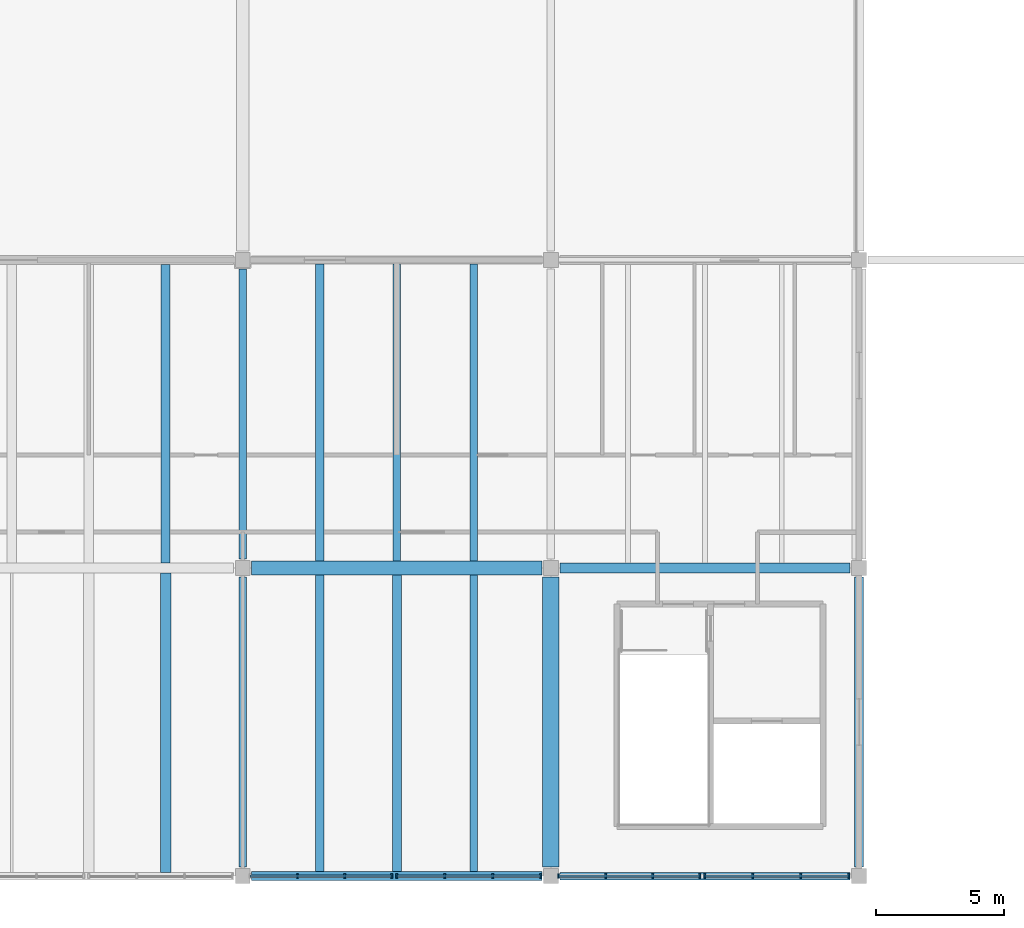
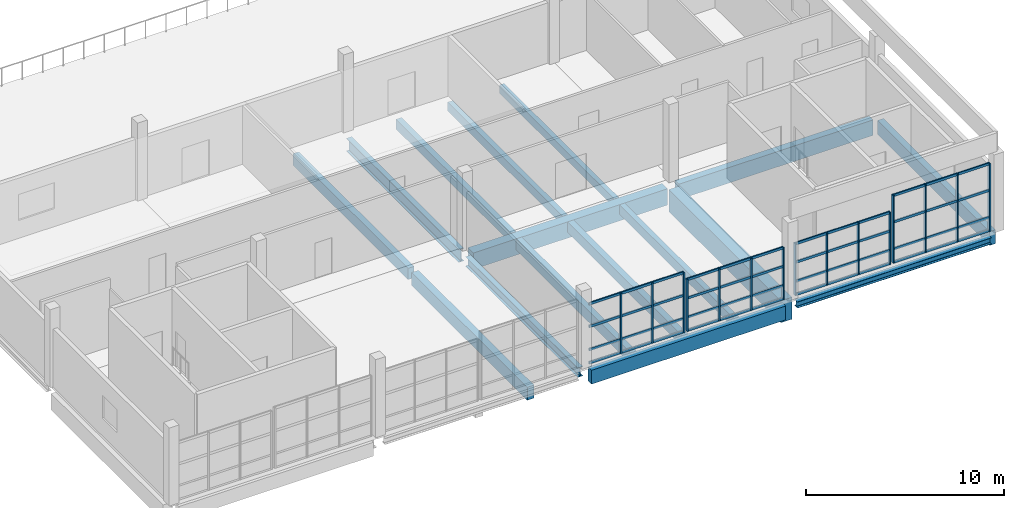
# One storey, part 3 of 8: 31 members, 16 beams, 4 elements without a shape of their own.
"""IFC4 building model written with IfcOpenShell, lengths in metres."""

from ifc_helpers import new_model, si_unit, direction, frame, origin, origin_2d, place, context, subcontext, project, spatial, rectangle, i_section, extrude, material, material_profile, profile_set, type_object, element, aggregate, save


model = new_model("IFC4")

# Units and contexts
model_context = context("Model", 3, precision=1e-05, world=origin(), true_north=direction((0.0, 1.0)))
body_context = subcontext(model_context, "Body", "Model", "MODEL_VIEW")
ifc_project = project(units=[si_unit("LENGTHUNIT", "METRE"), si_unit("AREAUNIT", "SQUARE_METRE"), si_unit("VOLUMEUNIT", "CUBIC_METRE"), si_unit("PLANEANGLEUNIT", "RADIAN"), si_unit("MASSUNIT", "GRAM", prefix="KILO")], contexts=[model_context])

# Site, building, storey
site_placement = place(None, origin())
site = spatial("IfcSite", under=ifc_project, at=site_placement, CompositionType="ELEMENT")
building_placement = place(site_placement, origin())
building = spatial("IfcBuilding", under=site, at=building_placement, Name="Kamomehara Wholesale Market", CompositionType="ELEMENT")
storey_placement = place(building_placement, frame((0.0, 0.0, 16.199951171875)))
storey = spatial("IfcBuildingStorey", under=building, at=storey_placement, Name="L03", CompositionType="ELEMENT", Elevation=16.199951171875)

# Beams
ifc_material_1 = material(Name="Precast concrete Fc45 (C40/50)", Category="concrete")
ifc_material_profile_1 = material_profile(ifc_material_1, rectangle(XDim=0.64990234375, YDim=1.35009765625, at=origin_2d()), Name="PC-GRD-650x1350")
ifc_profile_set_1 = profile_set([ifc_material_profile_1], Name="Precast concrete Fc45 (C40/50)")
beam_type_1 = type_object("IfcBeamType", Name="BM-PG1350", PredefinedType="T_BEAM", material=ifc_profile_set_1)
beam_1_placement = place(storey_placement, frame((144.0, 12.35009765625, -1.02685546875), z_axis=(0.0, 1.0, 0.0), x_axis=(-1.0, 0.0, 0.0)))
element("IfcBeam", 1, at=beam_1_placement, inside=storey, type_object=beam_type_1, Name="Beam PG-03 L03", PredefinedType="T_BEAM", context=body_context, shape_type="SweptSolid", body=[
    extrude(rectangle(XDim=0.64990234375, YDim=1.35009765625, at=origin_2d()), origin(), (0.0, 0.0, 1.0), 11.2998046875),
])
ifc_material_2 = material(Name="Precast concrete Fc45 (C40/50)", Category="concrete")
ifc_material_profile_2 = material_profile(ifc_material_2, rectangle(XDim=0.280029296875, YDim=0.5, at=origin_2d()), Name="PC-JST-280x500")
ifc_profile_set_2 = profile_set([ifc_material_profile_2], Name="Precast concrete Fc45 (C40/50)")
beam_type_2 = type_object("IfcBeamType", Name="BM-PJ500", PredefinedType="JOIST", material=ifc_profile_set_2)
beam_2_placement = place(storey_placement, frame((141.0, 24.27490234375, -0.58203125), z_axis=(0.0, 1.0, 0.0), x_axis=(-1.0, 0.0, 0.0)))
element("IfcBeam", 2, at=beam_2_placement, inside=storey, type_object=beam_type_2, Name="Beam PJ-11 L03", PredefinedType="JOIST", context=body_context, shape_type="SweptSolid", body=[
    extrude(rectangle(XDim=0.280029296875, YDim=0.5, at=origin_2d()), origin(), (0.0, 0.0, 1.0), 11.5751953125),
])
ifc_material_3 = material(Name="Precast concrete Fc45 (C40/50)", Category="concrete")
ifc_material_profile_3 = material_profile(ifc_material_3, rectangle(XDim=0.300048828125, YDim=0.550048828125, at=origin_2d()), Name="PC-JST-300x550")
ifc_profile_set_3 = profile_set([ifc_material_profile_3], Name="Precast concrete Fc45 (C40/50)")
beam_type_3 = type_object("IfcBeamType", Name="BM-PJ550", PredefinedType="JOIST", material=ifc_profile_set_3)
beam_3_placement = place(storey_placement, frame((138.0, 24.27490234375, -0.60693359375), z_axis=(0.0, 1.0, 0.0), x_axis=(-1.0, 0.0, 0.0)))
element("IfcBeam", 3, at=beam_3_placement, inside=storey, type_object=beam_type_3, Name="Beam PJ-06 L03", PredefinedType="JOIST", context=body_context, shape_type="SweptSolid", body=[
    extrude(rectangle(XDim=0.300048828125, YDim=0.550048828125, at=origin_2d()), origin(), (0.0, 0.0, 1.0), 11.5751953125),
])
ifc_material_4 = material(Name="Precast concrete Fc45 (C40/50)", Category="concrete")
ifc_material_profile_4 = material_profile(ifc_material_4, rectangle(XDim=0.320068359375, YDim=0.60009765625, at=origin_2d()), Name="PC-JST-320x600")
ifc_profile_set_4 = profile_set([ifc_material_profile_4], Name="Precast concrete Fc45 (C40/50)")
beam_type_4 = type_object("IfcBeamType", Name="BM-PJ600", PredefinedType="JOIST", material=ifc_profile_set_4)
beam_4_placement = place(storey_placement, frame((135.0, 24.27490234375, -0.6318359375), z_axis=(0.0, 1.0, 0.0), x_axis=(-1.0, 0.0, 0.0)))
element("IfcBeam", 4, at=beam_4_placement, inside=storey, type_object=beam_type_4, Name="Beam PJ-05 L03", PredefinedType="JOIST", context=body_context, shape_type="SweptSolid", body=[
    extrude(rectangle(XDim=0.320068359375, YDim=0.60009765625, at=origin_2d()), origin(), (0.0, 0.0, 1.0), 11.5751953125),
])
ifc_material_5 = material(Name="Precast concrete Fc45 (C40/50)", Category="concrete")
ifc_material_profile_5 = material_profile(ifc_material_5, rectangle(XDim=0.300048828125, YDim=0.60009765625, at=origin_2d()), Name="PC-JST-300x600")
ifc_profile_set_5 = profile_set([ifc_material_profile_5], Name="Precast concrete Fc45 (C40/50)")
beam_type_5 = type_object("IfcBeamType", Name="BM-PJ600B", PredefinedType="JOIST", material=ifc_profile_set_5)
beam_5_placement = place(storey_placement, frame((141.0, 12.175048828125, -0.641845703125), z_axis=(0.0, 1.0, 0.0), x_axis=(-1.0, 0.0, 0.0)))
element("IfcBeam", 5, at=beam_5_placement, inside=storey, type_object=beam_type_5, Name="Beam PJ-10 L03", PredefinedType="JOIST", context=body_context, shape_type="SweptSolid", body=[
    extrude(rectangle(XDim=0.300048828125, YDim=0.60009765625, at=origin_2d()), origin(), (0.0, 0.0, 1.0), 11.550048828125),
])
ifc_material_6 = material(Name="Precast concrete Fc45 (C40/50)", Category="concrete")
ifc_material_profile_6 = material_profile(ifc_material_6, rectangle(XDim=0.35009765625, YDim=0.64990234375, at=origin_2d()), Name="PC-JST-350x650")
ifc_profile_set_6 = profile_set([ifc_material_profile_6], Name="Precast concrete Fc45 (C40/50)")
beam_type_6 = type_object("IfcBeamType", Name="BM-PJ650", PredefinedType="JOIST", material=ifc_profile_set_6)
beam_6_placement = place(storey_placement, frame((138.0, 12.175048828125, -0.6669921875), z_axis=(0.0, 1.0, 0.0), x_axis=(-1.0, 0.0, 0.0)))
element("IfcBeam", 6, at=beam_6_placement, inside=storey, type_object=beam_type_6, Name="Beam PJ-04 L03", PredefinedType="JOIST", context=body_context, shape_type="SweptSolid", body=[
    extrude(rectangle(XDim=0.35009765625, YDim=0.64990234375, at=origin_2d()), origin(), (0.0, 0.0, 1.0), 11.550048828125),
])
ifc_material_7 = material(Name="Precast concrete Fc45 (C40/50)", Category="concrete")
ifc_material_profile_7 = material_profile(ifc_material_7, rectangle(XDim=0.340087890625, YDim=0.679931640625, at=origin_2d()), Name="PC-JST-340x680")
ifc_profile_set_7 = profile_set([ifc_material_profile_7], Name="Precast concrete Fc45 (C40/50)")
beam_type_7 = type_object("IfcBeamType", Name="BM-PJ680", PredefinedType="JOIST", material=ifc_profile_set_7)
beam_7_placement = place(storey_placement, frame((135.0, 12.175048828125, -0.681884765625), z_axis=(0.0, 1.0, 0.0), x_axis=(-1.0, 0.0, 0.0)))
element("IfcBeam", 7, at=beam_7_placement, inside=storey, type_object=beam_type_7, Name="Beam PJ-09 L03", PredefinedType="JOIST", context=body_context, shape_type="SweptSolid", body=[
    extrude(rectangle(XDim=0.340087890625, YDim=0.679931640625, at=origin_2d()), origin(), (0.0, 0.0, 1.0), 11.550048828125),
])
ifc_material_8 = material(Name="Precast concrete Fc45 (C40/50)", Category="concrete")
ifc_material_profile_8 = material_profile(ifc_material_8, rectangle(XDim=0.35009765625, YDim=0.699951171875, at=origin_2d()), Name="PC-JST-350x700")
ifc_profile_set_8 = profile_set([ifc_material_profile_8], Name="Precast concrete Fc45 (C40/50)")
beam_type_8 = type_object("IfcBeamType", Name="BM-PJ700", PredefinedType="JOIST", material=ifc_profile_set_8)
beam_8_placement = place(storey_placement, frame((129.0, 24.199951171875, -0.681884765625), z_axis=(0.0, 1.0, 0.0), x_axis=(-1.0, 0.0, 0.0)))
element("IfcBeam", 8, at=beam_8_placement, inside=storey, type_object=beam_type_8, Name="Beam PJ-03 L03", PredefinedType="JOIST", context=body_context, shape_type="SweptSolid", body=[
    extrude(rectangle(XDim=0.35009765625, YDim=0.699951171875, at=origin_2d()), origin(), (0.0, 0.0, 1.0), 11.625),
])
ifc_material_9 = material(Name="Precast concrete Fc45 (C40/50)", Category="concrete")
ifc_material_profile_9 = material_profile(ifc_material_9, rectangle(XDim=0.39990234375, YDim=0.800048828125, at=origin_2d()), Name="PC-JST-400x800")
ifc_profile_set_9 = profile_set([ifc_material_profile_9], Name="Precast concrete Fc45 (C40/50)")
beam_type_9 = type_object("IfcBeamType", Name="BM-PJ800", PredefinedType="JOIST", material=ifc_profile_set_9)
beam_9_placement = place(storey_placement, frame((129.0, 12.14990234375, -0.741943359375), z_axis=(0.0, 1.0, 0.0), x_axis=(-1.0, 0.0, 0.0)))
element("IfcBeam", 9, at=beam_9_placement, inside=storey, type_object=beam_type_9, Name="Beam PJ-01 L03", PredefinedType="JOIST", context=body_context, shape_type="SweptSolid", body=[
    extrude(rectangle(XDim=0.39990234375, YDim=0.800048828125, at=origin_2d()), origin(), (0.0, 0.0, 1.0), 11.650146484375),
])
ifc_material_10 = material(Name="Concrete Fc36 (C35/45)", Category="concrete")
ifc_material_profile_10 = material_profile(ifc_material_10, rectangle(XDim=0.550048828125, YDim=1.0, at=origin_2d()), Name="RC-SEB-550x1000")
ifc_profile_set_10 = profile_set([ifc_material_profile_10], Name="Concrete Fc36 (C35/45)")
beam_type_10 = type_object("IfcBeamType", Name="BM-SEB1000-EXT", PredefinedType="SPANDREL", material=ifc_profile_set_10)
beam_10_placement = place(storey_placement, frame((132.35009765625, 24.0, -0.842041015625), z_axis=(1.0, 0.0, 0.0), x_axis=(0.0, 1.0, 0.0)))
element("IfcBeam", 10, at=beam_10_placement, inside=storey, type_object=beam_type_10, Name="Beam SEB-03E L03", PredefinedType="SPANDREL", context=body_context, shape_type="SweptSolid", body=[
    extrude(rectangle(XDim=0.550048828125, YDim=1.0, at=origin_2d()), origin(), (0.0, 0.0, 1.0), 11.2998046875),
])
ifc_material_11 = material(Name="Precast concrete Fc45 (C40/50)", Category="concrete")
ifc_material_profile_11 = material_profile(ifc_material_11, rectangle(XDim=0.35009765625, YDim=0.85009765625, at=origin_2d()), Name="PC-SPN-350x850")
ifc_profile_set_11 = profile_set([ifc_material_profile_11], Name="Precast concrete Fc45 (C40/50)")
beam_type_11 = type_object("IfcBeamType", Name="BM-SPN850-EXT", PredefinedType="SPANDREL", material=ifc_profile_set_11)
for number, where, z_axis, x_axis, name in (
    (11, (132.35009765625, 12.0, -0.766845703125), (1.0, 0.0, 0.0), (0.0, 1.0, 0.0), "Beam SPN-02E L03"),
    (12, (156.0, 12.35009765625, -0.77685546875), (0.0, 1.0, 0.0), (-1.0, 0.0, 0.0), "Beam SPN-02E L03"),
):
    element("IfcBeam", number, at=place(storey_placement, frame(where, z_axis=z_axis, x_axis=x_axis)), inside=storey, type_object=beam_type_11, Name=name, PredefinedType="SPANDREL", context=body_context, shape_type="SweptSolid", body=[
        extrude(rectangle(XDim=0.35009765625, YDim=0.85009765625, at=origin_2d()), origin(), (0.0, 0.0, 1.0), 11.2998046875),
    ])
ifc_material_12 = material(Name="Precast concrete Fc45 (C40/50)", Category="concrete")
ifc_material_profile_12 = material_profile(ifc_material_12, rectangle(XDim=0.39990234375, YDim=0.949951171875, at=origin_2d()), Name="PC-SPN-400x950")
ifc_profile_set_12 = profile_set([ifc_material_profile_12], Name="Precast concrete Fc45 (C40/50)")
beam_type_12 = type_object("IfcBeamType", Name="BM-SPN950-EXT", PredefinedType="SPANDREL", material=ifc_profile_set_12)
beam_11_placement = place(storey_placement, frame((144.35009765625, 24.0, -0.826904296875), z_axis=(1.0, 0.0, 0.0), x_axis=(0.0, 1.0, 0.0)))
element("IfcBeam", 13, at=beam_11_placement, inside=storey, type_object=beam_type_12, Name="Beam SPN-01E L03", PredefinedType="SPANDREL", context=body_context, shape_type="SweptSolid", body=[
    extrude(rectangle(XDim=0.39990234375, YDim=0.949951171875, at=origin_2d()), origin(), (0.0, 0.0, 1.0), 11.2998046875),
])
ifc_material_13 = material(Name="Steel SN490B", Category="steel")
ifc_material_profile_13 = material_profile(ifc_material_13, i_section(OverallWidth=0.300048828125, OverallDepth=0.389892578125, WebThickness=0.010009765625, FlangeThickness=0.01611328125, FilletRadius=0.01806640625, at=origin_2d()), Name="H-390x300x10x16")
ifc_profile_set_13 = profile_set([ifc_material_profile_13], Name="Steel SN490B")
beam_type_13 = type_object("IfcBeamType", Name="BM-ST-H390-EXT", PredefinedType="SPANDREL", material=ifc_profile_set_13)
beam_12_placement = place(storey_placement, frame((144.35009765625, 12.0, -0.546875), z_axis=(1.0, 0.0, 0.0), x_axis=(0.0, 1.0, 0.0)))
element("IfcBeam", 14, at=beam_12_placement, inside=storey, type_object=beam_type_13, Name="Beam SJ-03E L03", PredefinedType="SPANDREL", context=body_context, shape_type="SweptSolid", body=[
    extrude(i_section(OverallWidth=0.300048828125, OverallDepth=0.389892578125, WebThickness=0.010009765625, FlangeThickness=0.01611328125, FilletRadius=0.01806640625, at=origin_2d()), origin(), (0.0, 0.0, 1.0), 11.2998046875),
])
ifc_material_14 = material(Name="Steel SN490B", Category="steel")
ifc_material_profile_14 = material_profile(ifc_material_14, i_section(OverallWidth=0.300048828125, OverallDepth=0.58203125, WebThickness=0.011962890625, FlangeThickness=0.01708984375, FilletRadius=0.02197265625, at=origin_2d()), Name="H-582x300x12x17")
ifc_profile_set_14 = profile_set([ifc_material_profile_14], Name="Steel SN490B")
beam_type_14 = type_object("IfcBeamType", Name="BM-ST-H582", PredefinedType="BEAM", material=ifc_profile_set_14)
beam_13_placement = place(storey_placement, frame((132.0, 12.35009765625, -0.633056640625), z_axis=(0.0, 1.0, 0.0), x_axis=(-1.0, 0.0, 0.0)))
element("IfcBeam", 15, at=beam_13_placement, inside=storey, type_object=beam_type_14, Name="Beam SG-10 L03", PredefinedType="BEAM", context=body_context, shape_type="SweptSolid", body=[
    extrude(i_section(OverallWidth=0.300048828125, OverallDepth=0.58203125, WebThickness=0.011962890625, FlangeThickness=0.01708984375, FilletRadius=0.02197265625, at=origin_2d()), origin(), (0.0, 0.0, 1.0), 11.2998046875),
])
ifc_material_15 = material(Name="Steel SN490B", Category="steel")
ifc_material_profile_15 = material_profile(ifc_material_15, i_section(OverallWidth=0.300048828125, OverallDepth=0.800048828125, WebThickness=0.013916015625, FlangeThickness=0.02587890625, FilletRadius=0.02392578125, at=origin_2d()), Name="H-800x300x14x26")
ifc_profile_set_15 = profile_set([ifc_material_profile_15], Name="Steel SN490B")
beam_type_15 = type_object("IfcBeamType", Name="BM-ST-H800", PredefinedType="BEAM", material=ifc_profile_set_15)
beam_14_placement = place(storey_placement, frame((132.0, 24.35009765625, -0.73193359375), z_axis=(0.0, 1.0, 0.0), x_axis=(-1.0, 0.0, 0.0)))
element("IfcBeam", 16, at=beam_14_placement, inside=storey, type_object=beam_type_15, Name="Beam SG-02 L03", PredefinedType="BEAM", context=body_context, shape_type="SweptSolid", body=[
    extrude(i_section(OverallWidth=0.300048828125, OverallDepth=0.800048828125, WebThickness=0.013916015625, FlangeThickness=0.02587890625, FilletRadius=0.02392578125, at=origin_2d()), origin(), (0.0, 0.0, 1.0), 11.2998046875),
])

# Curtain wall, members
ifc_material_16 = material(Name="Anodised aluminium 6063-T5", Category="aluminium")
curtain_wall_type = type_object("IfcCurtainWallType", Name="CW-UN-01", PredefinedType="NOTDEFINED", material=ifc_material_16)
curtain_wall_1_placement = place(storey_placement, origin())
curtain_wall_1 = element("IfcCurtainWall", 17, at=curtain_wall_1_placement, inside=storey, type_object=curtain_wall_type, Name="Unitised curtain wall CW-155", PredefinedType="NOTDEFINED")
ifc_material_17 = material(Name="Anodised aluminium 6063-T5", Category="aluminium")
ifc_material_profile_16 = material_profile(ifc_material_17, rectangle(XDim=0.074951171875, YDim=0.179931640625, at=origin_2d()), Name="ALU-MUL-75x180")
ifc_profile_set_16 = profile_set([ifc_material_profile_16], Name="Anodised aluminium 6063-T5")
member_type_1 = type_object("IfcMemberType", Name="CW-MUL-180", PredefinedType="MULLION", material=ifc_profile_set_16)
member_1_placement = place(storey_placement, frame((143.60009765625, 12.0, 0.0), z_axis=(0.0, 0.0, 1.0), x_axis=(-1.0, 0.0, 0.0)))
member_1 = element("IfcMember", 18, at=member_1_placement, type_object=member_type_1, Name="Mullion CW-155.0", PredefinedType="MULLION", context=body_context, shape_type="SweptSolid", body=[
    extrude(rectangle(XDim=0.074951171875, YDim=0.179931640625, at=origin_2d()), origin(), (0.0, 0.0, 1.0), 3.2080078125),
])
member_2_placement = place(storey_placement, frame((141.73291015625, 12.0, 0.0), z_axis=(0.0, 0.0, 1.0), x_axis=(-1.0, 0.0, 0.0)))
member_2 = element("IfcMember", 19, at=member_2_placement, type_object=member_type_1, Name="Mullion CW-155.1", PredefinedType="MULLION", context=body_context, shape_type="SweptSolid", body=[
    extrude(rectangle(XDim=0.074951171875, YDim=0.179931640625, at=origin_2d()), origin(), (0.0, 0.0, 1.0), 3.2080078125),
])
member_3_placement = place(storey_placement, frame((139.866943359375, 12.0, 0.0), z_axis=(0.0, 0.0, 1.0), x_axis=(-1.0, 0.0, 0.0)))
member_3 = element("IfcMember", 20, at=member_3_placement, type_object=member_type_1, Name="Mullion CW-155.2", PredefinedType="MULLION", context=body_context, shape_type="SweptSolid", body=[
    extrude(rectangle(XDim=0.074951171875, YDim=0.179931640625, at=origin_2d()), origin(), (0.0, 0.0, 1.0), 3.2080078125),
])
member_4_placement = place(storey_placement, frame((138.0, 12.0, 0.0), z_axis=(0.0, 0.0, 1.0), x_axis=(-1.0, 0.0, 0.0)))
member_4 = element("IfcMember", 21, at=member_4_placement, type_object=member_type_1, Name="Mullion CW-155.3", PredefinedType="MULLION", context=body_context, shape_type="SweptSolid", body=[
    extrude(rectangle(XDim=0.074951171875, YDim=0.179931640625, at=origin_2d()), origin(), (0.0, 0.0, 1.0), 3.2080078125),
])

curtain_wall_2_placement = place(storey_placement, origin())
curtain_wall_2 = element("IfcCurtainWall", 22, at=curtain_wall_2_placement, inside=storey, type_object=curtain_wall_type, Name="Unitised curtain wall CW-156", PredefinedType="NOTDEFINED")
member_5_placement = place(storey_placement, frame((137.800048828125, 12.0, 0.0), z_axis=(0.0, 0.0, 1.0), x_axis=(-1.0, 0.0, 0.0)))
member_5 = element("IfcMember", 23, at=member_5_placement, type_object=member_type_1, Name="Mullion CW-156.0", PredefinedType="MULLION", context=body_context, shape_type="SweptSolid", body=[
    extrude(rectangle(XDim=0.074951171875, YDim=0.179931640625, at=origin_2d()), origin(), (0.0, 0.0, 1.0), 3.7080078125),
])
member_6_placement = place(storey_placement, frame((135.967041015625, 12.0, 0.0), z_axis=(0.0, 0.0, 1.0), x_axis=(-1.0, 0.0, 0.0)))
member_6 = element("IfcMember", 24, at=member_6_placement, type_object=member_type_1, Name="Mullion CW-156.1", PredefinedType="MULLION", context=body_context, shape_type="SweptSolid", body=[
    extrude(rectangle(XDim=0.074951171875, YDim=0.179931640625, at=origin_2d()), origin(), (0.0, 0.0, 1.0), 3.7080078125),
])
member_7_placement = place(storey_placement, frame((134.133056640625, 12.0, 0.0), z_axis=(0.0, 0.0, 1.0), x_axis=(-1.0, 0.0, 0.0)))
member_7 = element("IfcMember", 25, at=member_7_placement, type_object=member_type_1, Name="Mullion CW-156.2", PredefinedType="MULLION", context=body_context, shape_type="SweptSolid", body=[
    extrude(rectangle(XDim=0.074951171875, YDim=0.179931640625, at=origin_2d()), origin(), (0.0, 0.0, 1.0), 3.7080078125),
])

curtain_wall_3_placement = place(storey_placement, origin())
curtain_wall_3 = element("IfcCurtainWall", 26, at=curtain_wall_3_placement, inside=storey, type_object=curtain_wall_type, Name="Unitised curtain wall CW-157", PredefinedType="NOTDEFINED")
member_8_placement = place(storey_placement, frame((155.60009765625, 12.0, 0.0), z_axis=(0.0, 0.0, 1.0), x_axis=(-1.0, 0.0, 0.0)))
member_8 = element("IfcMember", 27, at=member_8_placement, type_object=member_type_1, Name="Mullion CW-157.0", PredefinedType="MULLION", context=body_context, shape_type="SweptSolid", body=[
    extrude(rectangle(XDim=0.074951171875, YDim=0.179931640625, at=origin_2d()), origin(), (0.0, 0.0, 1.0), 4.177978515625),
])
member_9_placement = place(storey_placement, frame((153.73291015625, 12.0, 0.0), z_axis=(0.0, 0.0, 1.0), x_axis=(-1.0, 0.0, 0.0)))
member_9 = element("IfcMember", 28, at=member_9_placement, type_object=member_type_1, Name="Mullion CW-157.1", PredefinedType="MULLION", context=body_context, shape_type="SweptSolid", body=[
    extrude(rectangle(XDim=0.074951171875, YDim=0.179931640625, at=origin_2d()), origin(), (0.0, 0.0, 1.0), 4.177978515625),
])
member_10_placement = place(storey_placement, frame((151.866943359375, 12.0, 0.0), z_axis=(0.0, 0.0, 1.0), x_axis=(-1.0, 0.0, 0.0)))
member_10 = element("IfcMember", 29, at=member_10_placement, type_object=member_type_1, Name="Mullion CW-157.2", PredefinedType="MULLION", context=body_context, shape_type="SweptSolid", body=[
    extrude(rectangle(XDim=0.074951171875, YDim=0.179931640625, at=origin_2d()), origin(), (0.0, 0.0, 1.0), 4.177978515625),
])
member_11_placement = place(storey_placement, frame((150.0, 12.0, 0.0), z_axis=(0.0, 0.0, 1.0), x_axis=(-1.0, 0.0, 0.0)))
member_11 = element("IfcMember", 30, at=member_11_placement, type_object=member_type_1, Name="Mullion CW-157.3", PredefinedType="MULLION", context=body_context, shape_type="SweptSolid", body=[
    extrude(rectangle(XDim=0.074951171875, YDim=0.179931640625, at=origin_2d()), origin(), (0.0, 0.0, 1.0), 4.177978515625),
])

curtain_wall_4_placement = place(storey_placement, origin())
curtain_wall_4 = element("IfcCurtainWall", 31, at=curtain_wall_4_placement, inside=storey, type_object=curtain_wall_type, Name="Unitised curtain wall CW-158", PredefinedType="NOTDEFINED")
member_12_placement = place(storey_placement, frame((149.800048828125, 12.0, 0.0), z_axis=(0.0, 0.0, 1.0), x_axis=(-1.0, 0.0, 0.0)))
member_12 = element("IfcMember", 32, at=member_12_placement, type_object=member_type_1, Name="Mullion CW-158.0", PredefinedType="MULLION", context=body_context, shape_type="SweptSolid", body=[
    extrude(rectangle(XDim=0.074951171875, YDim=0.179931640625, at=origin_2d()), origin(), (0.0, 0.0, 1.0), 3.2080078125),
])
member_13_placement = place(storey_placement, frame((147.967041015625, 12.0, 0.0), z_axis=(0.0, 0.0, 1.0), x_axis=(-1.0, 0.0, 0.0)))
member_13 = element("IfcMember", 33, at=member_13_placement, type_object=member_type_1, Name="Mullion CW-158.1", PredefinedType="MULLION", context=body_context, shape_type="SweptSolid", body=[
    extrude(rectangle(XDim=0.074951171875, YDim=0.179931640625, at=origin_2d()), origin(), (0.0, 0.0, 1.0), 3.2080078125),
])
member_14_placement = place(storey_placement, frame((146.133056640625, 12.0, 0.0), z_axis=(0.0, 0.0, 1.0), x_axis=(-1.0, 0.0, 0.0)))
member_14 = element("IfcMember", 34, at=member_14_placement, type_object=member_type_1, Name="Mullion CW-158.2", PredefinedType="MULLION", context=body_context, shape_type="SweptSolid", body=[
    extrude(rectangle(XDim=0.074951171875, YDim=0.179931640625, at=origin_2d()), origin(), (0.0, 0.0, 1.0), 3.2080078125),
])
member_15_placement = place(storey_placement, frame((144.300048828125, 12.0, 0.0), z_axis=(0.0, 0.0, 1.0), x_axis=(-1.0, 0.0, 0.0)))
member_15 = element("IfcMember", 35, at=member_15_placement, type_object=member_type_1, Name="Mullion CW-158.3", PredefinedType="MULLION", context=body_context, shape_type="SweptSolid", body=[
    extrude(rectangle(XDim=0.074951171875, YDim=0.179931640625, at=origin_2d()), origin(), (0.0, 0.0, 1.0), 3.2080078125),
])

# Member
ifc_material_18 = material(Name="Anodised aluminium 6063-T5", Category="aluminium")
ifc_material_profile_17 = material_profile(ifc_material_18, rectangle(XDim=0.074951171875, YDim=0.14990234375, at=origin_2d()), Name="ALU-TRN-75x150")
ifc_profile_set_17 = profile_set([ifc_material_profile_17], Name="Anodised aluminium 6063-T5")
member_type_2 = type_object("IfcMemberType", Name="CW-TRN-150", PredefinedType="USERDEFINED", material=ifc_profile_set_17)
member_16_placement = place(storey_placement, frame((143.60009765625, 12.0, 0.0400390625), z_axis=(-1.0, 0.0, 0.0), x_axis=(0.0, -1.0, 0.0)))
member_16 = element("IfcMember", 36, at=member_16_placement, type_object=member_type_2, Name="Transom CW-155.0", ObjectType="TRANSOM", PredefinedType="USERDEFINED", context=body_context, shape_type="SweptSolid", body=[
    extrude(rectangle(XDim=0.074951171875, YDim=0.14990234375, at=origin_2d()), origin(), (0.0, 0.0, 1.0), 5.60009765625),
])

member_17_placement = place(storey_placement, frame((143.60009765625, 12.0, 0.85009765625), z_axis=(-1.0, 0.0, 0.0), x_axis=(0.0, -1.0, 0.0)))
member_17 = element("IfcMember", 37, at=member_17_placement, type_object=member_type_2, Name="Transom CW-155.1", ObjectType="TRANSOM", PredefinedType="USERDEFINED", context=body_context, shape_type="SweptSolid", body=[
    extrude(rectangle(XDim=0.074951171875, YDim=0.14990234375, at=origin_2d()), origin(), (0.0, 0.0, 1.0), 5.60009765625),
])

member_18_placement = place(storey_placement, frame((143.60009765625, 12.0, 2.029052734375), z_axis=(-1.0, 0.0, 0.0), x_axis=(0.0, -1.0, 0.0)))
member_18 = element("IfcMember", 38, at=member_18_placement, type_object=member_type_2, Name="Transom CW-155.2", ObjectType="TRANSOM", PredefinedType="USERDEFINED", context=body_context, shape_type="SweptSolid", body=[
    extrude(rectangle(XDim=0.074951171875, YDim=0.14990234375, at=origin_2d()), origin(), (0.0, 0.0, 1.0), 5.60009765625),
])

member_19_placement = place(storey_placement, frame((143.60009765625, 12.0, 3.16796875), z_axis=(-1.0, 0.0, 0.0), x_axis=(0.0, -1.0, 0.0)))
member_19 = element("IfcMember", 39, at=member_19_placement, type_object=member_type_2, Name="Transom CW-155.3", ObjectType="TRANSOM", PredefinedType="USERDEFINED", context=body_context, shape_type="SweptSolid", body=[
    extrude(rectangle(XDim=0.074951171875, YDim=0.14990234375, at=origin_2d()), origin(), (0.0, 0.0, 1.0), 5.60009765625),
])

aggregate(curtain_wall_1, [member_1, member_2, member_3, member_4, member_16, member_17, member_18, member_19])

member_20_placement = place(storey_placement, frame((137.800048828125, 12.0, 0.0400390625), z_axis=(-1.0, 0.0, 0.0), x_axis=(0.0, -1.0, 0.0)))
member_20 = element("IfcMember", 40, at=member_20_placement, type_object=member_type_2, Name="Transom CW-156.0", ObjectType="TRANSOM", PredefinedType="USERDEFINED", context=body_context, shape_type="SweptSolid", body=[
    extrude(rectangle(XDim=0.074951171875, YDim=0.14990234375, at=origin_2d()), origin(), (0.0, 0.0, 1.0), 5.5),
])

member_21_placement = place(storey_placement, frame((137.800048828125, 12.0, 0.85009765625), z_axis=(-1.0, 0.0, 0.0), x_axis=(0.0, -1.0, 0.0)))
member_21 = element("IfcMember", 41, at=member_21_placement, type_object=member_type_2, Name="Transom CW-156.1", ObjectType="TRANSOM", PredefinedType="USERDEFINED", context=body_context, shape_type="SweptSolid", body=[
    extrude(rectangle(XDim=0.074951171875, YDim=0.14990234375, at=origin_2d()), origin(), (0.0, 0.0, 1.0), 5.5),
])

member_22_placement = place(storey_placement, frame((137.800048828125, 12.0, 2.279052734375), z_axis=(-1.0, 0.0, 0.0), x_axis=(0.0, -1.0, 0.0)))
member_22 = element("IfcMember", 42, at=member_22_placement, type_object=member_type_2, Name="Transom CW-156.2", ObjectType="TRANSOM", PredefinedType="USERDEFINED", context=body_context, shape_type="SweptSolid", body=[
    extrude(rectangle(XDim=0.074951171875, YDim=0.14990234375, at=origin_2d()), origin(), (0.0, 0.0, 1.0), 5.5),
])

member_23_placement = place(storey_placement, frame((137.800048828125, 12.0, 3.66796875), z_axis=(-1.0, 0.0, 0.0), x_axis=(0.0, -1.0, 0.0)))
member_23 = element("IfcMember", 43, at=member_23_placement, type_object=member_type_2, Name="Transom CW-156.3", ObjectType="TRANSOM", PredefinedType="USERDEFINED", context=body_context, shape_type="SweptSolid", body=[
    extrude(rectangle(XDim=0.074951171875, YDim=0.14990234375, at=origin_2d()), origin(), (0.0, 0.0, 1.0), 5.5),
])

aggregate(curtain_wall_2, [member_5, member_6, member_7, member_20, member_21, member_22, member_23])

member_24_placement = place(storey_placement, frame((155.60009765625, 12.0, 0.0400390625), z_axis=(-1.0, 0.0, 0.0), x_axis=(0.0, -1.0, 0.0)))
member_24 = element("IfcMember", 44, at=member_24_placement, type_object=member_type_2, Name="Transom CW-157.0", ObjectType="TRANSOM", PredefinedType="USERDEFINED", context=body_context, shape_type="SweptSolid", body=[
    extrude(rectangle(XDim=0.074951171875, YDim=0.14990234375, at=origin_2d()), origin(), (0.0, 0.0, 1.0), 5.60009765625),
])

member_25_placement = place(storey_placement, frame((155.60009765625, 12.0, 0.85009765625), z_axis=(-1.0, 0.0, 0.0), x_axis=(0.0, -1.0, 0.0)))
member_25 = element("IfcMember", 45, at=member_25_placement, type_object=member_type_2, Name="Transom CW-157.1", ObjectType="TRANSOM", PredefinedType="USERDEFINED", context=body_context, shape_type="SweptSolid", body=[
    extrude(rectangle(XDim=0.074951171875, YDim=0.14990234375, at=origin_2d()), origin(), (0.0, 0.0, 1.0), 5.60009765625),
])

member_26_placement = place(storey_placement, frame((155.60009765625, 12.0, 2.51416015625), z_axis=(-1.0, 0.0, 0.0), x_axis=(0.0, -1.0, 0.0)))
member_26 = element("IfcMember", 46, at=member_26_placement, type_object=member_type_2, Name="Transom CW-157.2", ObjectType="TRANSOM", PredefinedType="USERDEFINED", context=body_context, shape_type="SweptSolid", body=[
    extrude(rectangle(XDim=0.074951171875, YDim=0.14990234375, at=origin_2d()), origin(), (0.0, 0.0, 1.0), 5.60009765625),
])

member_27_placement = place(storey_placement, frame((155.60009765625, 12.0, 4.137939453125), z_axis=(-1.0, 0.0, 0.0), x_axis=(0.0, -1.0, 0.0)))
member_27 = element("IfcMember", 47, at=member_27_placement, type_object=member_type_2, Name="Transom CW-157.3", ObjectType="TRANSOM", PredefinedType="USERDEFINED", context=body_context, shape_type="SweptSolid", body=[
    extrude(rectangle(XDim=0.074951171875, YDim=0.14990234375, at=origin_2d()), origin(), (0.0, 0.0, 1.0), 5.60009765625),
])

aggregate(curtain_wall_3, [member_8, member_9, member_10, member_11, member_24, member_25, member_26, member_27])

member_28_placement = place(storey_placement, frame((149.800048828125, 12.0, 0.0400390625), z_axis=(-1.0, 0.0, 0.0), x_axis=(0.0, -1.0, 0.0)))
member_28 = element("IfcMember", 48, at=member_28_placement, type_object=member_type_2, Name="Transom CW-158.0", ObjectType="TRANSOM", PredefinedType="USERDEFINED", context=body_context, shape_type="SweptSolid", body=[
    extrude(rectangle(XDim=0.074951171875, YDim=0.14990234375, at=origin_2d()), origin(), (0.0, 0.0, 1.0), 5.5),
])

member_29_placement = place(storey_placement, frame((149.800048828125, 12.0, 0.85009765625), z_axis=(-1.0, 0.0, 0.0), x_axis=(0.0, -1.0, 0.0)))
member_29 = element("IfcMember", 49, at=member_29_placement, type_object=member_type_2, Name="Transom CW-158.1", ObjectType="TRANSOM", PredefinedType="USERDEFINED", context=body_context, shape_type="SweptSolid", body=[
    extrude(rectangle(XDim=0.074951171875, YDim=0.14990234375, at=origin_2d()), origin(), (0.0, 0.0, 1.0), 5.5),
])

member_30_placement = place(storey_placement, frame((149.800048828125, 12.0, 2.029052734375), z_axis=(-1.0, 0.0, 0.0), x_axis=(0.0, -1.0, 0.0)))
member_30 = element("IfcMember", 50, at=member_30_placement, type_object=member_type_2, Name="Transom CW-158.2", ObjectType="TRANSOM", PredefinedType="USERDEFINED", context=body_context, shape_type="SweptSolid", body=[
    extrude(rectangle(XDim=0.074951171875, YDim=0.14990234375, at=origin_2d()), origin(), (0.0, 0.0, 1.0), 5.5),
])

member_31_placement = place(storey_placement, frame((149.800048828125, 12.0, 3.16796875), z_axis=(-1.0, 0.0, 0.0), x_axis=(0.0, -1.0, 0.0)))
member_31 = element("IfcMember", 51, at=member_31_placement, type_object=member_type_2, Name="Transom CW-158.3", ObjectType="TRANSOM", PredefinedType="USERDEFINED", context=body_context, shape_type="SweptSolid", body=[
    extrude(rectangle(XDim=0.074951171875, YDim=0.14990234375, at=origin_2d()), origin(), (0.0, 0.0, 1.0), 5.5),
])

aggregate(curtain_wall_4, [member_12, member_13, member_14, member_15, member_28, member_29, member_30, member_31])

save(model, "model.ifc")
